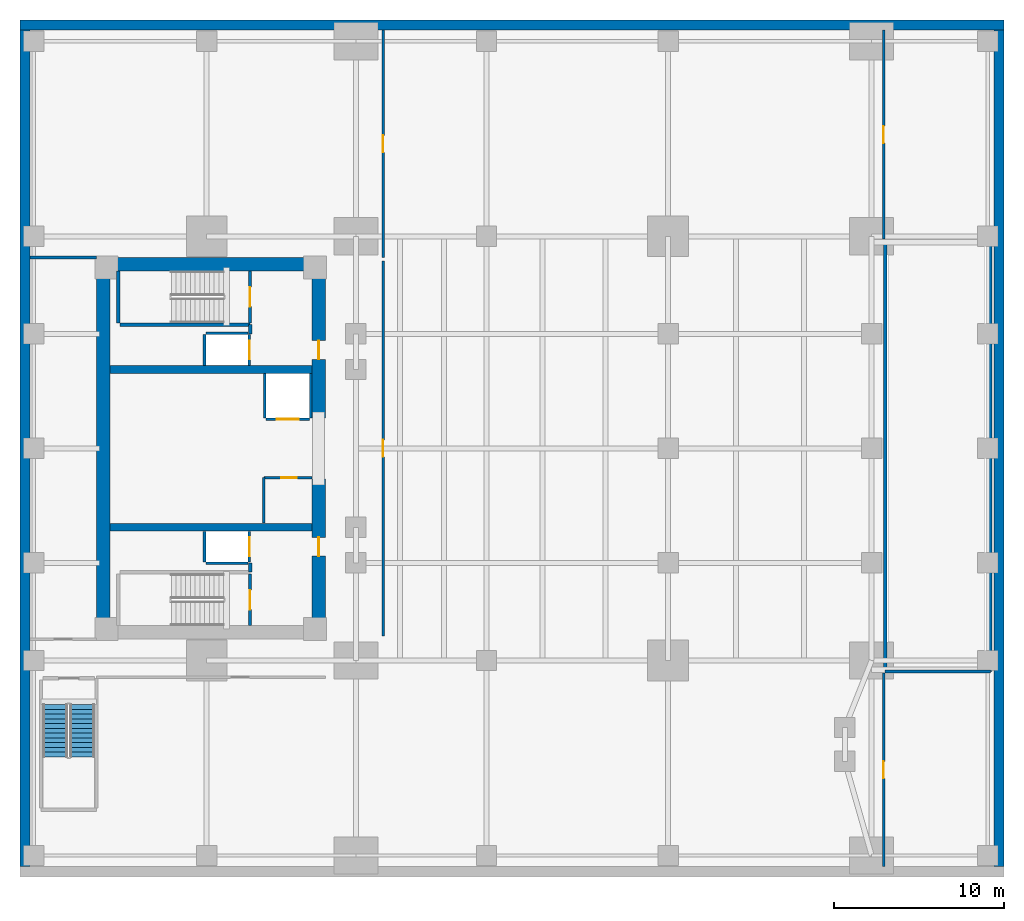
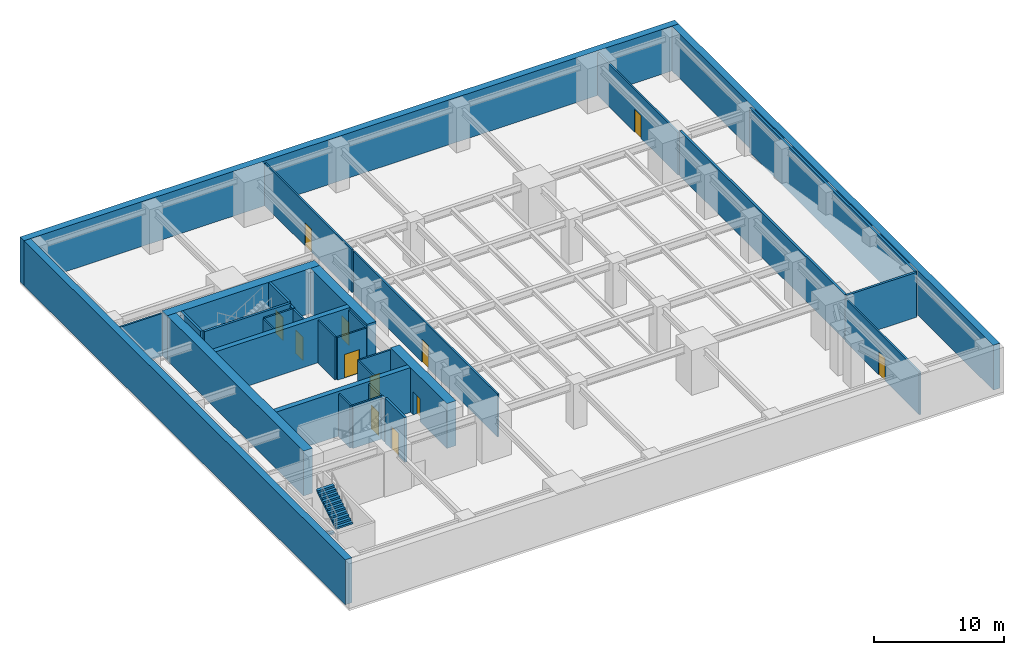
# One storey, part 3 of 5: 34 walls, 12 doors, 2 stair flights, 12 openings, 1 element without a shape of its own.
"""IFC4 building model written with IfcOpenShell, lengths in metres."""

from ifc_helpers import new_model, si_unit, direction, frame, frame_2d, origin, place, context, subcontext, project, spatial, polyline, rectangle, outline, extrude, material, layer, layer_set, type_object, element, fill, aggregate, save


model = new_model("IFC4")

# Units and contexts
model_context = context("Model", 3, precision=1e-05, world=origin(), true_north=direction((0.0, 1.0)))
body_context = subcontext(model_context, "Body", "Model", "MODEL_VIEW")
ifc_project = project(units=[si_unit("LENGTHUNIT", "METRE"), si_unit("AREAUNIT", "SQUARE_METRE"), si_unit("VOLUMEUNIT", "CUBIC_METRE"), si_unit("PLANEANGLEUNIT", "RADIAN"), si_unit("MASSUNIT", "GRAM", prefix="KILO")], contexts=[model_context])

# Site, building, storey
site_placement = place(None, origin())
site = spatial("IfcSite", under=ifc_project, at=site_placement, CompositionType="ELEMENT")
building_placement = place(site_placement, origin())
building = spatial("IfcBuilding", under=site, at=building_placement, Name="Kinhvarn Gate Tower", CompositionType="ELEMENT")
storey_placement = place(building_placement, frame((0.0, 0.0, -9.0)))
storey = spatial("IfcBuildingStorey", under=building, at=storey_placement, Name="B02", CompositionType="ELEMENT", Elevation=-9.0)

# Walls
ifc_material_1 = material(Name="Concrete C50/60", Category="concrete")
ifc_layer_1 = layer(ifc_material_1, 0.449951171875)
ifc_layer_set_1 = layer_set([ifc_layer_1], Name="Concrete C50/60")
wall_type_1 = type_object("IfcWallType", Name="WL-CORE-450", PredefinedType="SHEAR", material=ifc_layer_set_1)
for number, where, z_axis, x_axis, name in (
    (1, (5.300048828125, 20.60009765625, 0.0), (0.0, 0.0, 1.0), (1.0, 0.0, 0.0), "Core South Spine Shear Wall B02 450 mm"),
    (2, (5.300048828125, 29.89990234375, 0.0), (0.0, 0.0, 1.0), (1.0, 0.0, 0.0), "Core North Spine Shear Wall B02 450 mm"),
):
    element("IfcWall", number, at=place(storey_placement, frame(where, z_axis=z_axis, x_axis=x_axis)), inside=storey, type_object=wall_type_1, Name=name, PredefinedType="SHEAR", context=body_context, shape_type="SweptSolid", body=[
        extrude(rectangle(XDim=11.89990234375, YDim=0.449951171875, at=frame_2d((5.949951171875, 0.0))), origin(), (0.0, 0.0, 1.0), 4.199951171875),
    ])
ifc_material_2 = material(Name="Concrete C70/85", Category="concrete")
ifc_layer_2 = layer(ifc_material_2, 0.800048828125)
ifc_layer_set_2 = layer_set([ifc_layer_2], Name="Concrete C70/85")
wall_type_2 = type_object("IfcWallType", Name="WL-CORE-800", PredefinedType="SHEAR", material=ifc_layer_set_2)
wall_1_placement = place(storey_placement, frame((4.5, 36.10009765625, 0.0), z_axis=(0.0, 0.0, 1.0), x_axis=(1.0, 0.0, 0.0)))
element("IfcWall", 3, at=wall_1_placement, inside=storey, type_object=wall_type_2, Name="Core North Shear Wall B02 800 mm", PredefinedType="SHEAR", context=body_context, shape_type="SweptSolid", body=[
    extrude(rectangle(XDim=13.5, YDim=0.800048828125, at=frame_2d((6.75, 0.0))), origin(), (0.0, 0.0, 1.0), 4.199951171875),
])
wall_2_placement = place(storey_placement, frame((4.89990234375, 14.800048828125, 0.0), z_axis=(0.0, 0.0, 1.0), x_axis=(0.0, 1.0, 0.0)))
element("IfcWall", 4, at=wall_2_placement, inside=storey, type_object=wall_type_2, Name="Core West Shear Wall B02 800 mm", PredefinedType="SHEAR", context=body_context, shape_type="SweptSolid", body=[
    extrude(rectangle(XDim=20.89990234375, YDim=0.800048828125, at=frame_2d((10.449951171875, 0.0))), origin(), (0.0, 0.0, 1.0), 4.199951171875),
])

# Wall, opening, door
wall_3_placement = place(storey_placement, frame((17.60009765625, 14.800048828125, 0.0), z_axis=(0.0, 0.0, 1.0), x_axis=(0.0, 1.0, 0.0)))
wall_3 = element("IfcWall", 5, at=wall_3_placement, inside=storey, type_object=wall_type_2, Name="Core East-South Shear Pier B02 800 mm", PredefinedType="SHEAR", context=body_context, shape_type="SweptSolid", body=[
    extrude(rectangle(XDim=8.64990234375, YDim=0.800048828125, at=frame_2d((4.324951171875, 0.0))), origin(), (0.0, 0.0, 1.0), 4.199951171875),
])
opening_1_placement = place(wall_3_placement, frame((4.10009765625, 0.0, 0.0)))
opening_1 = element("IfcOpeningElement", 6, at=opening_1_placement, cuts=wall_3, Name="Opening FD-02", PredefinedType="OPENING", context=body_context, shape_type="SweptSolid", body=[
    extrude(rectangle(XDim=1.10009765625, YDim=2.14990234375, at=frame_2d((0.550048828125, 1.074951171875))), frame((0.0, 0.41015625, 0.0), z_axis=(0.0, -1.0, 0.0), x_axis=(1.0, 0.0, 0.0)), (0.0, 0.0, 1.0), 0.820068359375),
])
ifc_material_3 = material(Name="Anodised aluminium AW-6063", Category="aluminium")
door_type_1 = type_object("IfcDoorType", Name="DR-FD-1100", OperationType="NOTDEFINED", PredefinedType="DOOR", material=ifc_material_3)
door_1_placement = place(opening_1_placement, origin())
door_1 = element("IfcDoor", 7, at=door_1_placement, inside=storey, type_object=door_type_1, Name="Firefighting Lobby Core Door (B02)", OperationType="SINGLE_SWING_RIGHT", OverallHeight=2.14990234375, OverallWidth=1.10009765625, PredefinedType="DOOR", context=body_context, shape_type="SweptSolid", body=[
    extrude(rectangle(XDim=1.10009765625, YDim=2.14990234375, at=frame_2d((0.550048828125, 1.074951171875))), frame((0.0, 0.02490234375, 0.0), z_axis=(0.0, -1.0, 0.0), x_axis=(1.0, 0.0, 0.0)), (0.0, 0.0, 1.0), 0.050048828125),
])
fill(opening_1, door_1)

wall_4_placement = place(storey_placement, frame((17.60009765625, 27.050048828125, 0.0), z_axis=(0.0, 0.0, 1.0), x_axis=(0.0, 1.0, 0.0)))
wall_4 = element("IfcWall", 8, at=wall_4_placement, inside=storey, type_object=wall_type_2, Name="Core East-North Shear Pier B02 800 mm", PredefinedType="SHEAR", context=body_context, shape_type="SweptSolid", body=[
    extrude(rectangle(XDim=8.64990234375, YDim=0.800048828125, at=frame_2d((4.324951171875, 0.0))), origin(), (0.0, 0.0, 1.0), 4.199951171875),
])
opening_2_placement = place(wall_4_placement, frame((3.449951171875, 0.0, 0.0)))
opening_2 = element("IfcOpeningElement", 9, at=opening_2_placement, cuts=wall_4, Name="Opening FD-02", PredefinedType="OPENING", context=body_context, shape_type="SweptSolid", body=[
    extrude(rectangle(XDim=1.10009765625, YDim=2.14990234375, at=frame_2d((0.550048828125, 1.074951171875))), frame((0.0, 0.41015625, 0.0), z_axis=(0.0, -1.0, 0.0), x_axis=(1.0, 0.0, 0.0)), (0.0, 0.0, 1.0), 0.820068359375),
])
door_2_placement = place(opening_2_placement, origin())
door_2 = element("IfcDoor", 10, at=door_2_placement, inside=storey, type_object=door_type_1, Name="Firefighting Lobby Core Door (B02)", OperationType="SINGLE_SWING_LEFT", OverallHeight=2.14990234375, OverallWidth=1.10009765625, PredefinedType="DOOR", context=body_context, shape_type="SweptSolid", body=[
    extrude(rectangle(XDim=1.10009765625, YDim=2.14990234375, at=frame_2d((0.550048828125, 1.074951171875))), frame((0.0, 0.02490234375, 0.0), z_axis=(0.0, -1.0, 0.0), x_axis=(1.0, 0.0, 0.0)), (0.0, 0.0, 1.0), 0.050048828125),
])
fill(opening_2, door_2)

# Wall
ifc_material_4 = material(Name="Gypsum acoustic partition board")
ifc_layer_3 = layer(ifc_material_4, 0.14990234375)
ifc_layer_set_3 = layer_set([ifc_layer_3], Name="Gypsum acoustic partition board")
wall_type_3 = type_object("IfcWallType", Name="WL-PRT-150F", PredefinedType="PARTITIONING", material=ifc_layer_set_3)
wall_5_placement = place(storey_placement, frame((14.3798828125, 20.85009765625, 0.0), z_axis=(0.0, 0.0, 1.0), x_axis=(0.0, 1.0, 0.0)))
element("IfcWall", 11, at=wall_5_placement, inside=storey, type_object=wall_type_3, Name="Interior Partition PW-150F (B02)", PredefinedType="PARTITIONING", context=body_context, shape_type="SweptSolid", body=[
    extrude(rectangle(XDim=2.669921875, YDim=0.14990234375, at=frame_2d((1.3349609375, 0.0))), origin(), (0.0, 0.0, 1.0), 4.0),
])

# Wall, opening, door
wall_6_placement = place(storey_placement, frame((14.3798828125, 23.52001953125, 0.0), z_axis=(0.0, 0.0, 1.0), x_axis=(1.0, 0.0, 0.0)))
wall_6 = element("IfcWall", 12, at=wall_6_placement, inside=storey, type_object=wall_type_3, Name="Interior Partition PW-150F (B02)", PredefinedType="PARTITIONING", context=body_context, shape_type="SweptSolid", body=[
    extrude(rectangle(XDim=2.840087890625, YDim=0.14990234375, at=frame_2d((1.419921875, 0.0))), origin(), (0.0, 0.0, 1.0), 4.0),
])
opening_3_placement = place(wall_6_placement, frame((1.02685546875, 0.0, 0.0)))
opening_3 = element("IfcOpeningElement", 13, at=opening_3_placement, cuts=wall_6, Name="Opening FD-04", PredefinedType="OPENING", context=body_context, shape_type="SweptSolid", body=[
    extrude(rectangle(XDim=0.89990234375, YDim=2.10009765625, at=frame_2d((0.449951171875, 1.050048828125))), frame((0.0, 0.0849609375, 0.0), z_axis=(0.0, -1.0, 0.0), x_axis=(1.0, 0.0, 0.0)), (0.0, 0.0, 1.0), 0.169921875),
])
door_type_2 = type_object("IfcDoorType", Name="DR-FD-900", OperationType="NOTDEFINED", PredefinedType="DOOR", material=ifc_material_3)
door_3_placement = place(opening_3_placement, origin())
door_3 = element("IfcDoor", 14, at=door_3_placement, inside=storey, type_object=door_type_2, Name="Rated Riser & Service Closet Fire Door 900x2100 mm (B02)", OperationType="SINGLE_SWING_LEFT", OverallHeight=2.10009765625, OverallWidth=0.89990234375, PredefinedType="DOOR", context=body_context, shape_type="SweptSolid", body=[
    extrude(rectangle(XDim=0.89990234375, YDim=2.10009765625, at=frame_2d((0.449951171875, 1.050048828125))), frame((0.0, 0.02490234375, 0.0), z_axis=(0.0, -1.0, 0.0), x_axis=(1.0, 0.0, 0.0)), (0.0, 0.0, 1.0), 0.050048828125),
])
fill(opening_3, door_3)

wall_7_placement = place(storey_placement, frame((21.39990234375, 14.199951171875, 0.0), z_axis=(0.0, 0.0, 1.0), x_axis=(0.0, 1.0, 0.0)))
wall_7 = element("IfcWall", 15, at=wall_7_placement, inside=storey, type_object=wall_type_3, Name="Interior Partition PW-150F (B02)", PredefinedType="PARTITIONING", context=body_context, shape_type="SweptSolid", body=[
    extrude(rectangle(XDim=22.10009765625, YDim=0.14990234375, at=frame_2d((11.050048828125, 0.0))), origin(), (0.0, 0.0, 1.0), 4.0),
])
opening_4_placement = place(wall_7_placement, frame((10.550048828125, 0.0, 0.0)))
opening_4 = element("IfcOpeningElement", 16, at=opening_4_placement, cuts=wall_7, Name="Opening ID-02", PredefinedType="OPENING", context=body_context, shape_type="SweptSolid", body=[
    extrude(rectangle(XDim=1.0, YDim=2.14990234375, at=frame_2d((0.5, 1.074951171875))), frame((0.0, 0.0849609375, 0.0), z_axis=(0.0, -1.0, 0.0), x_axis=(1.0, 0.0, 0.0)), (0.0, 0.0, 1.0), 0.169921875),
])
door_type_3 = type_object("IfcDoorType", Name="DR-INT-1000", OperationType="NOTDEFINED", PredefinedType="DOOR", material=ifc_material_3)
door_4_placement = place(opening_4_placement, origin())
door_4 = element("IfcDoor", 17, at=door_4_placement, inside=storey, type_object=door_type_3, Name="Standard Office & Meeting Room Door 1000x2150 mm (B02)", OperationType="SINGLE_SWING_RIGHT", OverallHeight=2.14990234375, OverallWidth=1.0, PredefinedType="DOOR", context=body_context, shape_type="SweptSolid", body=[
    extrude(rectangle(XDim=1.0, YDim=2.14990234375, at=frame_2d((0.5, 1.074951171875))), frame((0.0, 0.02490234375, 0.0), z_axis=(0.0, -1.0, 0.0), x_axis=(1.0, 0.0, 0.0)), (0.0, 0.0, 1.0), 0.050048828125),
])
fill(opening_4, door_4)

# Wall
wall_8_placement = place(storey_placement, frame((0.60009765625, 36.5, 0.0), z_axis=(0.0, 0.0, 1.0), x_axis=(1.0, 0.0, 0.0)))
element("IfcWall", 18, at=wall_8_placement, inside=storey, type_object=wall_type_3, Name="Interior Partition PW-150F (B02)", PredefinedType="PARTITIONING", context=body_context, shape_type="SweptSolid", body=[
    extrude(rectangle(XDim=3.89990234375, YDim=0.14990234375, at=frame_2d((1.949951171875, 0.0))), origin(), (0.0, 0.0, 1.0), 4.0),
])

# Wall, opening, door
wall_9_placement = place(storey_placement, frame((21.39990234375, 36.5, 0.0), z_axis=(0.0, 0.0, 1.0), x_axis=(0.0, 1.0, 0.0)))
wall_9 = element("IfcWall", 19, at=wall_9_placement, inside=storey, type_object=wall_type_3, Name="Interior Partition PW-150F (B02)", PredefinedType="PARTITIONING", context=body_context, shape_type="SweptSolid", body=[
    extrude(rectangle(XDim=13.39990234375, YDim=0.14990234375, at=frame_2d((6.699951171875, 0.0))), origin(), (0.0, 0.0, 1.0), 4.0),
])
opening_5_placement = place(wall_9_placement, frame((6.199951171875, 0.0, 0.0)))
opening_5 = element("IfcOpeningElement", 20, at=opening_5_placement, cuts=wall_9, Name="Opening FD-03", PredefinedType="OPENING", context=body_context, shape_type="SweptSolid", body=[
    extrude(rectangle(XDim=1.0, YDim=2.14990234375, at=frame_2d((0.5, 1.074951171875))), frame((0.0, 0.0849609375, 0.0), z_axis=(0.0, -1.0, 0.0), x_axis=(1.0, 0.0, 0.0)), (0.0, 0.0, 1.0), 0.169921875),
])
door_type_4 = type_object("IfcDoorType", Name="DR-FD-1000", OperationType="NOTDEFINED", PredefinedType="DOOR", material=ifc_material_3)
door_5_placement = place(opening_5_placement, origin())
door_5 = element("IfcDoor", 21, at=door_5_placement, inside=storey, type_object=door_type_4, Name="Rated Plant & Corridor Fire Door 1000x2150 mm (B02)", OperationType="SINGLE_SWING_LEFT", OverallHeight=2.14990234375, OverallWidth=1.0, PredefinedType="DOOR", context=body_context, shape_type="SweptSolid", body=[
    extrude(rectangle(XDim=1.0, YDim=2.14990234375, at=frame_2d((0.5, 1.074951171875))), frame((0.0, 0.02490234375, 0.0), z_axis=(0.0, -1.0, 0.0), x_axis=(1.0, 0.0, 0.0)), (0.0, 0.0, 1.0), 0.050048828125),
])
fill(opening_5, door_5)

wall_10_placement = place(storey_placement, frame((50.89990234375, 0.60009765625, 0.0), z_axis=(0.0, 0.0, 1.0), x_axis=(0.0, 1.0, 0.0)))
wall_10 = element("IfcWall", 22, at=wall_10_placement, inside=storey, type_object=wall_type_3, Name="Interior Partition PW-150F (B02)", PredefinedType="PARTITIONING", context=body_context, shape_type="SweptSolid", body=[
    extrude(rectangle(XDim=11.39990234375, YDim=0.14990234375, at=frame_2d((5.699951171875, 0.0))), origin(), (0.0, 0.0, 1.0), 4.0),
])
opening_6_placement = place(wall_10_placement, frame((5.199951171875, 0.0, 0.0)))
opening_6 = element("IfcOpeningElement", 23, at=opening_6_placement, cuts=wall_10, Name="Opening FD-03", PredefinedType="OPENING", context=body_context, shape_type="SweptSolid", body=[
    extrude(rectangle(XDim=1.0, YDim=2.14990234375, at=frame_2d((0.5, 1.074951171875))), frame((0.0, 0.0849609375, 0.0), z_axis=(0.0, -1.0, 0.0), x_axis=(1.0, 0.0, 0.0)), (0.0, 0.0, 1.0), 0.169921875),
])
door_6_placement = place(opening_6_placement, origin())
door_6 = element("IfcDoor", 24, at=door_6_placement, inside=storey, type_object=door_type_4, Name="Rated Plant & Corridor Fire Door 1000x2150 mm (B02)", OperationType="SINGLE_SWING_RIGHT", OverallHeight=2.14990234375, OverallWidth=1.0, PredefinedType="DOOR", context=body_context, shape_type="SweptSolid", body=[
    extrude(rectangle(XDim=1.0, YDim=2.14990234375, at=frame_2d((0.5, 1.074951171875))), frame((0.0, 0.02490234375, 0.0), z_axis=(0.0, -1.0, 0.0), x_axis=(1.0, 0.0, 0.0)), (0.0, 0.0, 1.0), 0.050048828125),
])
fill(opening_6, door_6)

wall_11_placement = place(storey_placement, frame((50.89990234375, 37.60009765625, 0.0), z_axis=(0.0, 0.0, 1.0), x_axis=(0.0, 1.0, 0.0)))
wall_11 = element("IfcWall", 25, at=wall_11_placement, inside=storey, type_object=wall_type_3, Name="Interior Partition PW-150F (B02)", PredefinedType="PARTITIONING", context=body_context, shape_type="SweptSolid", body=[
    extrude(rectangle(XDim=12.2998046875, YDim=0.14990234375, at=frame_2d((6.14990234375, 0.0))), origin(), (0.0, 0.0, 1.0), 4.0),
])
opening_7_placement = place(wall_11_placement, frame((5.64990234375, 0.0, 0.0)))
opening_7 = element("IfcOpeningElement", 26, at=opening_7_placement, cuts=wall_11, Name="Opening FD-03", PredefinedType="OPENING", context=body_context, shape_type="SweptSolid", body=[
    extrude(rectangle(XDim=1.0, YDim=2.14990234375, at=frame_2d((0.5, 1.074951171875))), frame((0.0, 0.0849609375, 0.0), z_axis=(0.0, -1.0, 0.0), x_axis=(1.0, 0.0, 0.0)), (0.0, 0.0, 1.0), 0.169921875),
])
door_7_placement = place(opening_7_placement, origin())
door_7 = element("IfcDoor", 27, at=door_7_placement, inside=storey, type_object=door_type_4, Name="Rated Plant & Corridor Fire Door 1000x2150 mm (B02)", OperationType="SINGLE_SWING_LEFT", OverallHeight=2.14990234375, OverallWidth=1.0, PredefinedType="DOOR", context=body_context, shape_type="SweptSolid", body=[
    extrude(rectangle(XDim=1.0, YDim=2.14990234375, at=frame_2d((0.5, 1.074951171875))), frame((0.0, 0.02490234375, 0.0), z_axis=(0.0, -1.0, 0.0), x_axis=(1.0, 0.0, 0.0)), (0.0, 0.0, 1.0), 0.050048828125),
])
fill(opening_7, door_7)

# Walls
ifc_layer_4 = layer(ifc_material_4, 0.199951171875)
ifc_layer_set_4 = layer_set([ifc_layer_4], Name="Gypsum acoustic partition board")
wall_type_4 = type_object("IfcWallType", Name="WL-PRT-200", PredefinedType="PARTITIONING", material=ifc_layer_set_4)
for number, where, z_axis, x_axis, name in (
    (28, (13.580078125, 17.9599609375, 0.0), (0.0, 0.0, 1.0), (0.0, 1.0, 0.0), "Interior Partition PW-200 (B02)"),
    (29, (13.580078125, 32.0, 0.0), (0.0, 0.0, 1.0), (0.0, 1.0, 0.0), "Interior Partition PW-200 (B02)"),
):
    element("IfcWall", number, at=place(storey_placement, frame(where, z_axis=z_axis, x_axis=x_axis)), inside=storey, type_object=wall_type_4, Name=name, PredefinedType="PARTITIONING", context=body_context, shape_type="SweptSolid", body=[
        extrude(rectangle(XDim=0.5400390625, YDim=0.199951171875, at=frame_2d((0.27001953125, 0.0))), origin(), (0.0, 0.0, 1.0), 4.0),
    ])
ifc_layer_5 = layer(ifc_material_1, 0.60009765625)
ifc_layer_set_5 = layer_set([ifc_layer_5], Name="Concrete C50/60")
wall_type_5 = type_object("IfcWallType", Name="WL-RET-600", PredefinedType="USERDEFINED", material=ifc_layer_set_5)
wall_12_placement = place(storey_placement, frame((0.0, 50.199951171875, 0.0), z_axis=(0.0, 0.0, 1.0), x_axis=(1.0, 0.0, 0.0)))
element("IfcWall", 30, at=wall_12_placement, inside=storey, type_object=wall_type_5, Name="North Diaphragm Retaining Wall B02 600 mm", ObjectType="RETAININGWALL", PredefinedType="USERDEFINED", context=body_context, shape_type="SweptSolid", body=[
    extrude(rectangle(XDim=58.0, YDim=0.60009765625, at=frame_2d((29.0, 0.0))), origin(), (0.0, 0.0, 1.0), 4.199951171875),
])
for number, where, z_axis, x_axis, name in (
    (31, (0.300048828125, 0.60009765625, 0.0), (0.0, 0.0, 1.0), (0.0, 1.0, 0.0), "West Diaphragm Retaining Wall B02 600 mm"),
    (32, (57.699951171875, 0.60009765625, 0.0), (0.0, 0.0, 1.0), (0.0, 1.0, 0.0), "East Diaphragm Retaining Wall B02 600 mm"),
):
    element("IfcWall", number, at=place(storey_placement, frame(where, z_axis=z_axis, x_axis=x_axis)), inside=storey, type_object=wall_type_5, Name=name, ObjectType="RETAININGWALL", PredefinedType="USERDEFINED", context=body_context, shape_type="SweptSolid", body=[
        extrude(rectangle(XDim=49.2998046875, YDim=0.60009765625, at=frame_2d((24.64990234375, 0.0))), origin(), (0.0, 0.0, 1.0), 4.199951171875),
    ])

# Wall, opening, door
ifc_layer_6 = layer(ifc_material_4, 0.14990234375)
ifc_layer_set_6 = layer_set([ifc_layer_6], Name="Gypsum acoustic partition board")
wall_type_6 = type_object("IfcWallType", Name="WL-SHF-150", PredefinedType="PARTITIONING", material=ifc_layer_set_6)
wall_13_placement = place(storey_placement, frame((14.5, 26.97509765625, 0.0), z_axis=(0.0, 0.0, 1.0), x_axis=(1.0, 0.0, 0.0)))
wall_13 = element("IfcWall", 33, at=wall_13_placement, inside=storey, type_object=wall_type_6, Name="Elevator SV-01 Landing Wall (B02)", PredefinedType="PARTITIONING", context=body_context, shape_type="SweptSolid", body=[
    extrude(rectangle(XDim=2.550048828125, YDim=0.14990234375, at=frame_2d((1.27490234375, 0.0))), origin(), (0.0, 0.0, 1.0), 4.0),
])
opening_8_placement = place(wall_13_placement, frame((0.625, 0.0, 0.0)))
opening_8 = element("IfcOpeningElement", 34, at=opening_8_placement, cuts=wall_13, Name="Opening LD-02", PredefinedType="OPENING", context=body_context, shape_type="SweptSolid", body=[
    extrude(rectangle(XDim=1.300048828125, YDim=2.199951171875, at=frame_2d((0.64990234375, 1.10009765625))), frame((0.0, 0.0849609375, 0.0), z_axis=(0.0, -1.0, 0.0), x_axis=(1.0, 0.0, 0.0)), (0.0, 0.0, 1.0), 0.169921875),
])
door_type_5 = type_object("IfcDoorType", Name="DR-LND-SRV", OperationType="NOTDEFINED", PredefinedType="DOOR", material=ifc_material_3)
door_8_placement = place(opening_8_placement, origin())
door_8 = element("IfcDoor", 35, at=door_8_placement, inside=storey, type_object=door_type_5, Name="Elevator SV-01 Sliding Landing Door (B02)", OperationType="DOUBLE_DOOR_SLIDING", OverallHeight=2.199951171875, OverallWidth=1.300048828125, PredefinedType="DOOR", context=body_context, shape_type="SweptSolid", body=[
    extrude(rectangle(XDim=1.300048828125, YDim=2.199951171875, at=frame_2d((0.64990234375, 1.10009765625))), frame((0.0, 0.02490234375, 0.0), z_axis=(0.0, -1.0, 0.0), x_axis=(1.0, 0.0, 0.0)), (0.0, 0.0, 1.0), 0.050048828125),
])
fill(opening_8, door_8)

# Walls
for number, where, z_axis, x_axis, name in (
    (36, (14.425048828125, 27.050048828125, 0.0), (0.0, 0.0, 1.0), (0.0, 1.0, 0.0), "Elevator SV-01 Hoistway Wall W (B02)"),
    (37, (17.125, 27.050048828125, 0.0), (0.0, 0.0, 1.0), (0.0, 1.0, 0.0), "Elevator SV-01 Hoistway Wall E (B02)"),
):
    element("IfcWall", number, at=place(storey_placement, frame(where, z_axis=z_axis, x_axis=x_axis)), inside=storey, type_object=wall_type_6, Name=name, PredefinedType="PARTITIONING", context=body_context, shape_type="SweptSolid", body=[
        extrude(rectangle(XDim=2.599853515625, YDim=0.14990234375, at=frame_2d((1.2998046875, 0.0))), origin(), (0.0, 0.0, 1.0), 4.0),
    ])
wall_14_placement = place(storey_placement, frame((10.949951171875, 18.47509765625, 0.0), z_axis=(0.0, 0.0, 1.0), x_axis=(1.0, 0.0, 0.0)))
element("IfcWall", 38, at=wall_14_placement, inside=storey, type_object=wall_type_6, Name="Elevator FF1 Hoistway Wall S (B02)", PredefinedType="PARTITIONING", context=body_context, shape_type="SweptSolid", body=[
    extrude(rectangle(XDim=2.5, YDim=0.14990234375, at=frame_2d((1.25, 0.0))), origin(), (0.0, 0.0, 1.0), 4.0),
])
wall_15_placement = place(storey_placement, frame((10.875, 18.550048828125, 0.0), z_axis=(0.0, 0.0, 1.0), x_axis=(0.0, 1.0, 0.0)))
element("IfcWall", 39, at=wall_15_placement, inside=storey, type_object=wall_type_6, Name="Elevator FF1 Hoistway Wall W (B02)", PredefinedType="PARTITIONING", context=body_context, shape_type="SweptSolid", body=[
    extrude(rectangle(XDim=1.800048828125, YDim=0.14990234375, at=frame_2d((0.89990234375, 0.0))), origin(), (0.0, 0.0, 1.0), 4.0),
])

# Wall, opening, door
wall_16_placement = place(storey_placement, frame((13.52490234375, 18.550048828125, 0.0), z_axis=(0.0, 0.0, 1.0), x_axis=(0.0, 1.0, 0.0)))
wall_16 = element("IfcWall", 40, at=wall_16_placement, inside=storey, type_object=wall_type_6, Name="Elevator FF1 Landing Wall (B02)", PredefinedType="PARTITIONING", context=body_context, shape_type="SweptSolid", body=[
    extrude(rectangle(XDim=1.800048828125, YDim=0.14990234375, at=frame_2d((0.89990234375, 0.0))), origin(), (0.0, 0.0, 1.0), 4.0),
])
opening_9_placement = place(wall_16_placement, frame((0.35009765625, 0.0, 0.0)))
opening_9 = element("IfcOpeningElement", 41, at=opening_9_placement, cuts=wall_16, Name="Opening LD-03", PredefinedType="OPENING", context=body_context, shape_type="SweptSolid", body=[
    extrude(rectangle(XDim=1.10009765625, YDim=2.199951171875, at=frame_2d((0.550048828125, 1.10009765625))), frame((0.0, 0.0849609375, 0.0), z_axis=(0.0, -1.0, 0.0), x_axis=(1.0, 0.0, 0.0)), (0.0, 0.0, 1.0), 0.169921875),
])
door_type_6 = type_object("IfcDoorType", Name="DR-LND-FF", OperationType="NOTDEFINED", PredefinedType="DOOR", material=ifc_material_3)
door_9_placement = place(opening_9_placement, origin())
door_9 = element("IfcDoor", 42, at=door_9_placement, inside=storey, type_object=door_type_6, Name="Elevator FF1 Sliding Landing Door (B02)", OperationType="DOUBLE_DOOR_SLIDING", OverallHeight=2.199951171875, OverallWidth=1.10009765625, PredefinedType="DOOR", context=body_context, shape_type="SweptSolid", body=[
    extrude(rectangle(XDim=1.10009765625, YDim=2.199951171875, at=frame_2d((0.550048828125, 1.10009765625))), frame((0.0, 0.02490234375, 0.0), z_axis=(0.0, -1.0, 0.0), x_axis=(1.0, 0.0, 0.0)), (0.0, 0.0, 1.0), 0.050048828125),
])
fill(opening_9, door_9)

# Walls
wall_17_placement = place(storey_placement, frame((10.949951171875, 32.02490234375, 0.0), z_axis=(0.0, 0.0, 1.0), x_axis=(1.0, 0.0, 0.0)))
element("IfcWall", 43, at=wall_17_placement, inside=storey, type_object=wall_type_6, Name="Elevator FF2 Hoistway Wall N (B02)", PredefinedType="PARTITIONING", context=body_context, shape_type="SweptSolid", body=[
    extrude(rectangle(XDim=2.5, YDim=0.14990234375, at=frame_2d((1.25, 0.0))), origin(), (0.0, 0.0, 1.0), 4.0),
])
wall_18_placement = place(storey_placement, frame((10.875, 30.14990234375, 0.0), z_axis=(0.0, 0.0, 1.0), x_axis=(0.0, 1.0, 0.0)))
element("IfcWall", 44, at=wall_18_placement, inside=storey, type_object=wall_type_6, Name="Elevator FF2 Hoistway Wall W (B02)", PredefinedType="PARTITIONING", context=body_context, shape_type="SweptSolid", body=[
    extrude(rectangle(XDim=1.800048828125, YDim=0.14990234375, at=frame_2d((0.89990234375, 0.0))), origin(), (0.0, 0.0, 1.0), 4.0),
])

# Wall, opening, door
wall_19_placement = place(storey_placement, frame((13.52490234375, 30.14990234375, 0.0), z_axis=(0.0, 0.0, 1.0), x_axis=(0.0, 1.0, 0.0)))
wall_19 = element("IfcWall", 45, at=wall_19_placement, inside=storey, type_object=wall_type_6, Name="Elevator FF2 Landing Wall (B02)", PredefinedType="PARTITIONING", context=body_context, shape_type="SweptSolid", body=[
    extrude(rectangle(XDim=1.800048828125, YDim=0.14990234375, at=frame_2d((0.89990234375, 0.0))), origin(), (0.0, 0.0, 1.0), 4.0),
])
opening_10_placement = place(wall_19_placement, frame((0.35009765625, 0.0, 0.0)))
opening_10 = element("IfcOpeningElement", 46, at=opening_10_placement, cuts=wall_19, Name="Opening LD-03", PredefinedType="OPENING", context=body_context, shape_type="SweptSolid", body=[
    extrude(rectangle(XDim=1.10009765625, YDim=2.199951171875, at=frame_2d((0.550048828125, 1.10009765625))), frame((0.0, 0.0849609375, 0.0), z_axis=(0.0, -1.0, 0.0), x_axis=(1.0, 0.0, 0.0)), (0.0, 0.0, 1.0), 0.169921875),
])
door_10_placement = place(opening_10_placement, origin())
door_10 = element("IfcDoor", 47, at=door_10_placement, inside=storey, type_object=door_type_6, Name="Elevator FF2 Sliding Landing Door (B02)", OperationType="DOUBLE_DOOR_SLIDING", OverallHeight=2.199951171875, OverallWidth=1.10009765625, PredefinedType="DOOR", context=body_context, shape_type="SweptSolid", body=[
    extrude(rectangle(XDim=1.10009765625, YDim=2.199951171875, at=frame_2d((0.550048828125, 1.10009765625))), frame((0.0, 0.02490234375, 0.0), z_axis=(0.0, -1.0, 0.0), x_axis=(1.0, 0.0, 0.0)), (0.0, 0.0, 1.0), 0.050048828125),
])
fill(opening_10, door_10)

ifc_material_5 = material(Name="Concrete C40/50", Category="concrete")
ifc_layer_7 = layer(ifc_material_5, 0.199951171875)
ifc_layer_set_7 = layer_set([ifc_layer_7], Name="Concrete C40/50")
wall_type_7 = type_object("IfcWallType", Name="WL-SHF-200", PredefinedType="SOLIDWALL", material=ifc_layer_set_7)
wall_20_placement = place(storey_placement, frame((13.56005859375, 14.800048828125, 0.0), z_axis=(0.0, 0.0, 1.0), x_axis=(0.0, 1.0, 0.0)))
wall_20 = element("IfcWall", 48, at=wall_20_placement, inside=storey, type_object=wall_type_7, Name="Stair ST1 East Entry Wall (B02)", PredefinedType="SOLIDWALL", context=body_context, shape_type="SweptSolid", body=[
    extrude(rectangle(XDim=3.050048828125, YDim=0.199951171875, at=frame_2d((1.52490234375, 0.0))), origin(), (0.0, 0.0, 1.0), 4.199951171875),
])
opening_11_placement = place(wall_20_placement, frame((0.949951171875, 0.0, 0.0)))
opening_11 = element("IfcOpeningElement", 49, at=opening_11_placement, cuts=wall_20, Name="Opening FD-01", PredefinedType="OPENING", context=body_context, shape_type="SweptSolid", body=[
    extrude(rectangle(XDim=1.14990234375, YDim=2.14990234375, at=frame_2d((0.574951171875, 1.074951171875))), frame((0.0, 0.10986328125, 0.0), z_axis=(0.0, -1.0, 0.0), x_axis=(1.0, 0.0, 0.0)), (0.0, 0.0, 1.0), 0.219970703125),
])
door_type_7 = type_object("IfcDoorType", Name="DR-ST-1150", OperationType="NOTDEFINED", PredefinedType="DOOR", material=ifc_material_3)
door_11_placement = place(opening_11_placement, origin())
door_11 = element("IfcDoor", 50, at=door_11_placement, inside=storey, type_object=door_type_7, Name="Exit Stair ST1 Fire Door (B02)", OperationType="SINGLE_SWING_RIGHT", OverallHeight=2.14990234375, OverallWidth=1.14990234375, PredefinedType="DOOR", context=body_context, shape_type="SweptSolid", body=[
    extrude(rectangle(XDim=1.14990234375, YDim=2.14990234375, at=frame_2d((0.574951171875, 1.074951171875))), frame((0.0, 0.02490234375, 0.0), z_axis=(0.0, -1.0, 0.0), x_axis=(1.0, 0.0, 0.0)), (0.0, 0.0, 1.0), 0.050048828125),
])
fill(opening_11, door_11)

# Walls
wall_21_placement = place(storey_placement, frame((5.7900390625, 32.64990234375, 0.0), z_axis=(0.0, 0.0, 1.0), x_axis=(0.0, 1.0, 0.0)))
element("IfcWall", 51, at=wall_21_placement, inside=storey, type_object=wall_type_7, Name="Stair ST2 West Shaft Wall (B02)", PredefinedType="SOLIDWALL", context=body_context, shape_type="SweptSolid", body=[
    extrude(rectangle(XDim=3.050048828125, YDim=0.199951171875, at=frame_2d((1.52490234375, 0.0))), origin(), (0.0, 0.0, 1.0), 4.199951171875),
])
wall_22_placement = place(storey_placement, frame((5.89990234375, 32.5400390625, 0.0), z_axis=(0.0, 0.0, 1.0), x_axis=(1.0, 0.0, 0.0)))
element("IfcWall", 52, at=wall_22_placement, inside=storey, type_object=wall_type_7, Name="Stair ST2 South Shaft Wall (B02)", PredefinedType="SOLIDWALL", context=body_context, shape_type="SweptSolid", body=[
    extrude(rectangle(XDim=7.66015625, YDim=0.199951171875, at=frame_2d((3.830078125, 0.0))), origin(), (0.0, 0.0, 1.0), 4.199951171875),
])

# Wall, opening, door
wall_23_placement = place(storey_placement, frame((13.56005859375, 32.64990234375, 0.0), z_axis=(0.0, 0.0, 1.0), x_axis=(0.0, 1.0, 0.0)))
wall_23 = element("IfcWall", 53, at=wall_23_placement, inside=storey, type_object=wall_type_7, Name="Stair ST2 East Entry Wall (B02)", PredefinedType="SOLIDWALL", context=body_context, shape_type="SweptSolid", body=[
    extrude(rectangle(XDim=3.050048828125, YDim=0.199951171875, at=frame_2d((1.52490234375, 0.0))), origin(), (0.0, 0.0, 1.0), 4.199951171875),
])
opening_12_placement = place(wall_23_placement, frame((0.949951171875, 0.0, 0.0)))
opening_12 = element("IfcOpeningElement", 54, at=opening_12_placement, cuts=wall_23, Name="Opening FD-01", PredefinedType="OPENING", context=body_context, shape_type="SweptSolid", body=[
    extrude(rectangle(XDim=1.14990234375, YDim=2.14990234375, at=frame_2d((0.574951171875, 1.074951171875))), frame((0.0, 0.10986328125, 0.0), z_axis=(0.0, -1.0, 0.0), x_axis=(1.0, 0.0, 0.0)), (0.0, 0.0, 1.0), 0.219970703125),
])
door_12_placement = place(opening_12_placement, origin())
door_12 = element("IfcDoor", 55, at=door_12_placement, inside=storey, type_object=door_type_7, Name="Exit Stair ST2 Fire Door (B02)", OperationType="SINGLE_SWING_LEFT", OverallHeight=2.14990234375, OverallWidth=1.14990234375, PredefinedType="DOOR", context=body_context, shape_type="SweptSolid", body=[
    extrude(rectangle(XDim=1.14990234375, YDim=2.14990234375, at=frame_2d((0.574951171875, 1.074951171875))), frame((0.0, 0.02490234375, 0.0), z_axis=(0.0, -1.0, 0.0), x_axis=(1.0, 0.0, 0.0)), (0.0, 0.0, 1.0), 0.050048828125),
])
fill(opening_12, door_12)

# Walls
for number, where, z_axis, x_axis, name in (
    (56, (51.0, 12.10009765625, 0.0), (0.0, 0.0, 1.0), (0.0, 1.0, 0.0), "Vehicle Ramp West Shaft Wall (B02)"),
    (57, (57.199951171875, 12.10009765625, 0.0), (0.0, 0.0, 1.0), (0.0, 1.0, 0.0), "Vehicle Ramp East Shaft Wall (B02)"),
):
    element("IfcWall", number, at=place(storey_placement, frame(where, z_axis=z_axis, x_axis=x_axis)), inside=storey, type_object=wall_type_7, Name=name, PredefinedType="SOLIDWALL", context=body_context, shape_type="SweptSolid", body=[
        extrude(rectangle(XDim=25.39990234375, YDim=0.199951171875, at=frame_2d((12.699951171875, 0.0))), origin(), (0.0, 0.0, 1.0), 4.199951171875),
    ])
wall_24_placement = place(storey_placement, frame((51.0, 12.10009765625, 0.0), z_axis=(0.0, 0.0, 1.0), x_axis=(1.0, 0.0, 0.0)))
element("IfcWall", 58, at=wall_24_placement, inside=storey, type_object=wall_type_7, Name="Vehicle Ramp End Safety Wall (B02)", PredefinedType="SOLIDWALL", context=body_context, shape_type="SweptSolid", body=[
    extrude(rectangle(XDim=6.199951171875, YDim=0.199951171875, at=frame_2d((3.10009765625, 0.0))), origin(), (0.0, 0.0, 1.0), 4.199951171875),
])

# Stair, stair flights
stair_type = type_object("IfcStairType", Name="STR-DLG-175", PredefinedType="HALF_TURN_STAIR", material=ifc_material_5)
stair_placement = place(storey_placement, origin())
stair = element("IfcStair", 59, at=stair_placement, inside=storey, type_object=stair_type, Name="B02 Podium & Basement Protected Exit Stair ST3", PredefinedType="HALF_TURN_STAIR")
stair_flight_type = type_object("IfcStairFlightType", Name="STF-DLG-175", PredefinedType="STRAIGHT", material=ifc_material_5)
stair_flight_1_placement = place(storey_placement, frame((2.074951171875, 10.14990234375, 0.0), z_axis=(0.0, 0.0, 1.0), x_axis=(0.0, -1.0, 0.0)))
stair_flight_1 = element("IfcStairFlight", 60, at=stair_flight_1_placement, type_object=stair_flight_type, Name="ST3 flight 1", NumberOfRisers=12, NumberOfTreads=11, PredefinedType="STRAIGHT", RiserHeight=0.175, TreadLength=0.28, context=body_context, shape_type="SweptSolid", body=[
    extrude(outline(polyline([(0.0, 0.0), (0.0, 0.175048828125), (0.280029296875, 0.175048828125), (0.280029296875, 0.35009765625), (0.56005859375, 0.35009765625), (0.56005859375, 0.52490234375), (0.840087890625, 0.52490234375), (0.840087890625, 0.699951171875), (1.1201171875, 0.699951171875), (1.1201171875, 0.875), (1.39990234375, 0.875), (1.39990234375, 1.050048828125), (1.679931640625, 1.050048828125), (1.679931640625, 1.22509765625), (1.9599609375, 1.22509765625), (1.9599609375, 1.39990234375), (2.239990234375, 1.39990234375), (2.239990234375, 1.574951171875), (2.52001953125, 1.574951171875), (2.52001953125, 1.75), (2.800048828125, 1.75), (2.800048828125, 1.925048828125), (3.080078125, 1.925048828125), (3.080078125, 2.10009765625), (3.080078125, 1.748291015625), (0.28271484375, 0.0), (0.0, 0.0)])), frame((0.0, 0.72509765625, 0.0), z_axis=(0.0, -1.0, 0.0), x_axis=(1.0, 0.0, 0.0)), (0.0, 0.0, 1.0), 1.449951171875),
])
stair_flight_2_placement = place(storey_placement, frame((3.675048828125, 7.070068359375, 2.10009765625), z_axis=(0.0, 0.0, 1.0), x_axis=(0.0, 1.0, 0.0)))
stair_flight_2 = element("IfcStairFlight", 61, at=stair_flight_2_placement, type_object=stair_flight_type, Name="ST3 flight 2", NumberOfRisers=12, NumberOfTreads=11, PredefinedType="STRAIGHT", RiserHeight=0.175, TreadLength=0.28, context=body_context, shape_type="SweptSolid", body=[
    extrude(outline(polyline([(0.0, 0.0), (0.0, 0.175048828125), (0.280029296875, 0.175048828125), (0.280029296875, 0.35009765625), (0.56005859375, 0.35009765625), (0.56005859375, 0.52490234375), (0.840087890625, 0.52490234375), (0.840087890625, 0.699951171875), (1.1201171875, 0.699951171875), (1.1201171875, 0.875), (1.39990234375, 0.875), (1.39990234375, 1.050048828125), (1.679931640625, 1.050048828125), (1.679931640625, 1.22509765625), (1.9599609375, 1.22509765625), (1.9599609375, 1.39990234375), (2.239990234375, 1.39990234375), (2.239990234375, 1.574951171875), (2.52001953125, 1.574951171875), (2.52001953125, 1.75), (2.800048828125, 1.75), (2.800048828125, 1.925048828125), (3.080078125, 1.925048828125), (3.080078125, 2.10009765625), (3.080078125, 1.748291015625), (0.28271484375, 0.0), (0.0, 0.0)])), frame((0.0, 0.72509765625, 0.0), z_axis=(0.0, -1.0, 0.0), x_axis=(1.0, 0.0, 0.0)), (0.0, 0.0, 1.0), 1.449951171875),
])
aggregate(stair, [stair_flight_1, stair_flight_2])

save(model, "model.ifc")
